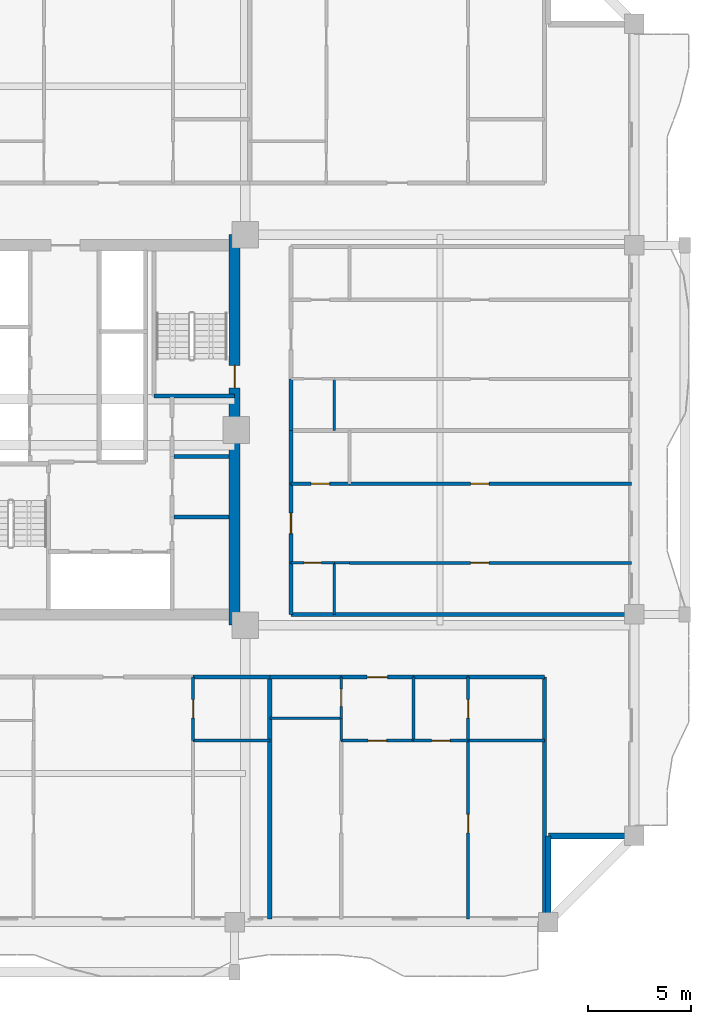
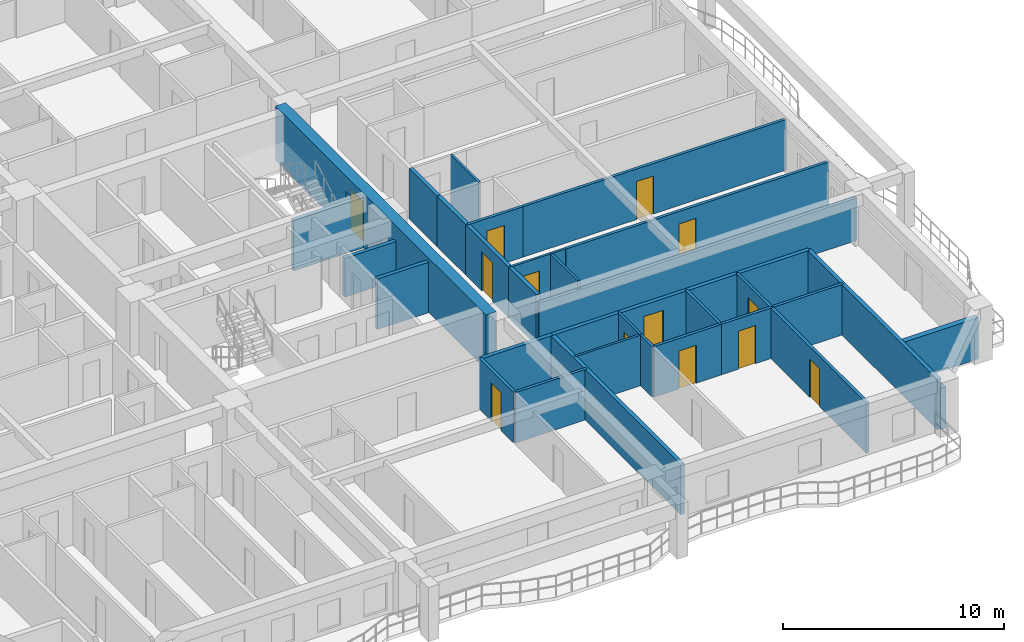
# One storey, part 5 of 13: 36 walls, 13 doors, 13 openings.
"""IFC4 building model written with IfcOpenShell, lengths in metres."""

from ifc_helpers import new_model, si_unit, direction, frame, frame_2d, origin, place, context, subcontext, project, spatial, rectangle, extrude, source, transform, mapped, material, layer, layer_set, type_object, element, fill, save


model = new_model("IFC4")

# Units and contexts
model_context = context("Model", 3, precision=1e-05, world=origin(), true_north=direction((0.0, 1.0)))
body_context = subcontext(model_context, "Body", "Model", "MODEL_VIEW")
ifc_project = project(units=[si_unit("LENGTHUNIT", "METRE"), si_unit("AREAUNIT", "SQUARE_METRE"), si_unit("VOLUMEUNIT", "CUBIC_METRE"), si_unit("PLANEANGLEUNIT", "RADIAN"), si_unit("MASSUNIT", "GRAM", prefix="KILO")], contexts=[model_context])

# Site, building, storey
site_placement = place(None, origin())
site = spatial("IfcSite", under=ifc_project, at=site_placement, CompositionType="ELEMENT")
building_placement = place(site_placement, origin())
building = spatial("IfcBuilding", under=site, at=building_placement, Name="Saelheon Loggia Tower", CompositionType="ELEMENT")
storey_placement = place(building_placement, frame((0.0, 0.0, 83.85009765625)))
storey = spatial("IfcBuildingStorey", under=building, at=storey_placement, Name="L26", CompositionType="ELEMENT", Elevation=83.85009765625)

# Wall, opening, door
ifc_material_1 = material(Name="Concrete C50/60", Category="concrete")
ifc_layer_1 = layer(ifc_material_1, 0.550048828125)
ifc_layer_set_1 = layer_set([ifc_layer_1], Name="Concrete C50/60")
wall_type_1 = type_object("IfcWallType", Name="Wall_CoreShear_550", PredefinedType="SHEAR", material=ifc_layer_set_1)
wall_1_placement = place(storey_placement, frame((44.5, 17.47998046875, 0.0), z_axis=(0.0, 0.0, 1.0), x_axis=(0.0, 1.0, 0.0)))
wall_1 = element("IfcWall", 1, at=wall_1_placement, inside=storey, type_object=wall_type_1, Name="L26 Core Shear Wall East", PredefinedType="SHEAR", context=body_context, shape_type="SweptSolid", body=[
    extrude(rectangle(XDim=19.0400390625, YDim=0.550048828125, at=frame_2d((9.52001953125, 0.0))), origin(), (0.0, 0.0, 1.0), 3.0),
])
opening_1_placement = place(wall_1_placement, frame((12.670166015625, 0.0, 0.0), z_axis=(0.0, 0.0, 1.0), x_axis=(-1.0, 0.0, 0.0)))
opening_1 = element("IfcOpeningElement", 2, at=opening_1_placement, cuts=wall_1, Name="Opening D-FD2", PredefinedType="OPENING", context=body_context, shape_type="SweptSolid", body=[
    extrude(rectangle(XDim=1.10009765625, YDim=2.14990234375, at=frame_2d((0.550048828125, 1.074951171875))), frame((0.0, 0.287109375, 0.0), z_axis=(0.0, -1.0, 0.0), x_axis=(1.0, 0.0, 0.0)), (0.0, 0.0, 1.0), 0.573974609375),
])
ifc_material_2 = material(Name="Galvanised Steel Fire Door", Category="steel")
door_type_1 = type_object("IfcDoorType", Name="Door_Fire_FD60_1100", OperationType="NOTDEFINED", PredefinedType="DOOR", material=ifc_material_2)
shared_shape_1 = source(origin(), body_context, "Body", "SweptSolid", [
    extrude(rectangle(XDim=1.10009765625, YDim=2.14990234375, at=frame_2d((0.550048828125, 1.074951171875))), frame((0.0, 0.02490234375, 0.0), z_axis=(0.0, -1.0, 0.0), x_axis=(1.0, 0.0, 0.0)), (0.0, 0.0, 1.0), 0.050048828125),
])
door_1_placement = place(opening_1_placement, origin())
door_1 = element("IfcDoor", 3, at=door_1_placement, inside=storey, type_object=door_type_1, Name="L26 Stair ST2 Corridor Door", OperationType="SINGLE_SWING_RIGHT", OverallHeight=2.14990234375, OverallWidth=1.10009765625, PredefinedType="DOOR", context=body_context, shape_type="MappedRepresentation", body=[
    mapped(shared_shape_1, transform((0.0, 0.0, 0.0), scale=1.0)),
])
fill(opening_1, door_1)

# Walls
ifc_material_3 = material(Name="Architectural Precast Concrete C40/50", Category="concrete")
ifc_layer_2 = layer(ifc_material_3, 0.280029296875)
ifc_layer_set_2 = layer_set([ifc_layer_2], Name="Architectural Precast Concrete C40/50")
wall_type_2 = type_object("IfcWallType", Name="Wall_Ext_Loggia_280", PredefinedType="SOLIDWALL", material=ifc_layer_set_2)
for number, where, z_axis, x_axis, name in (
    (4, (59.800048828125, 3.080078125, 0.0), (0.0, 0.0, 1.0), (0.0, 1.0, 0.0), "L26 Corner Notch Precast Wall SE1"),
    (5, (59.800048828125, 7.199951171875, 0.0), (0.0, 0.0, 1.0), (1.0, 0.0, 0.0), "L26 Corner Notch Precast Wall SE2"),
):
    element("IfcWall", number, at=place(storey_placement, frame(where, z_axis=z_axis, x_axis=x_axis)), inside=storey, type_object=wall_type_2, Name=name, PredefinedType="SOLIDWALL", context=body_context, shape_type="SweptSolid", body=[
        extrude(rectangle(XDim=4.119873046875, YDim=0.280029296875, at=frame_2d((2.06005859375, 0.0))), origin(), (0.0, 0.0, 1.0), 2.27978515625),
    ])
ifc_material_4 = material(Name="Lightweight Autoclaved Aerated Concrete Block and Acoustic Gypsum", Category="concrete")
ifc_layer_3 = layer(ifc_material_4, 0.14990234375)
ifc_layer_set_3 = layer_set([ifc_layer_3], Name="Lightweight Autoclaved Aerated Concrete Block and Acoustic Gypsum")
wall_type_3 = type_object("IfcWallType", Name="Wall_Part_150", PredefinedType="PARTITIONING", material=ifc_layer_set_3)
wall_2_placement = place(storey_placement, frame((42.47998046875, 11.85009765625, 0.0), z_axis=(0.0, 0.0, 1.0), x_axis=(1.0, 0.0, 0.0)))
element("IfcWall", 6, at=wall_2_placement, inside=storey, type_object=wall_type_3, Name="L26 S Partition V29", PredefinedType="PARTITIONING", context=body_context, shape_type="SweptSolid", body=[
    extrude(rectangle(XDim=3.735595703125, YDim=0.14990234375, at=frame_2d((1.86767578125, 0.0))), origin(), (0.0, 0.0, 1.0), 2.789794921875),
])

# Wall, opening, door
wall_3_placement = place(storey_placement, frame((42.47998046875, 14.949951171875, 0.0), z_axis=(0.0, 0.0, 1.0), x_axis=(0.0, -1.0, 0.0)))
wall_3 = element("IfcWall", 7, at=wall_3_placement, inside=storey, type_object=wall_type_3, Name="L26 S Partition U33", PredefinedType="PARTITIONING", context=body_context, shape_type="SweptSolid", body=[
    extrude(rectangle(XDim=3.099853515625, YDim=0.14990234375, at=frame_2d((1.5498046875, 0.0))), origin(), (0.0, 0.0, 1.0), 2.789794921875),
])
opening_2_placement = place(wall_3_placement, frame((1.10009765625, 0.0, 0.0)))
opening_2 = element("IfcOpeningElement", 8, at=opening_2_placement, cuts=wall_3, Name="Opening D-IN2", PredefinedType="OPENING", context=body_context, shape_type="SweptSolid", body=[
    extrude(rectangle(XDim=0.89990234375, YDim=2.10009765625, at=frame_2d((0.449951171875, 1.050048828125))), frame((0.0, 0.0869140625, 0.0), z_axis=(0.0, -1.0, 0.0), x_axis=(1.0, 0.0, 0.0)), (0.0, 0.0, 1.0), 0.173828125),
])
ifc_material_5 = material(Name="Engineered Oak Flush Door", Category="timber")
door_type_2 = type_object("IfcDoorType", Name="Door_Int_900", OperationType="NOTDEFINED", PredefinedType="DOOR", material=ifc_material_5)
shared_shape_2 = source(origin(), body_context, "Body", "SweptSolid", [
    extrude(rectangle(XDim=0.89990234375, YDim=2.10009765625, at=frame_2d((0.449951171875, 1.050048828125))), frame((0.0, 0.02490234375, 0.0), z_axis=(0.0, -1.0, 0.0), x_axis=(1.0, 0.0, 0.0)), (0.0, 0.0, 1.0), 0.050048828125),
])
door_2_placement = place(opening_2_placement, origin())
door_2 = element("IfcDoor", 9, at=door_2_placement, inside=storey, type_object=door_type_2, Name="Unit U03 Private Study Door", OperationType="SINGLE_SWING_LEFT", OverallHeight=2.10009765625, OverallWidth=0.89990234375, PredefinedType="DOOR", context=body_context, shape_type="MappedRepresentation", body=[
    mapped(shared_shape_2, transform((0.0, 0.0, 0.0), scale=1.0)),
])
fill(opening_2, door_2)

# Wall
wall_4_placement = place(storey_placement, frame((53.234375, 14.949951171875, 0.0), z_axis=(0.0, 0.0, 1.0), x_axis=(0.0, -1.0, 0.0)))
element("IfcWall", 10, at=wall_4_placement, inside=storey, type_object=wall_type_3, Name="L26 S Partition U39", PredefinedType="PARTITIONING", context=body_context, shape_type="SweptSolid", body=[
    extrude(rectangle(XDim=3.099853515625, YDim=0.14990234375, at=frame_2d((1.5498046875, 0.0))), origin(), (0.0, 0.0, 1.0), 2.789794921875),
])

# Wall, opening, door
wall_5_placement = place(storey_placement, frame((49.70068359375, 11.85009765625, 0.0), z_axis=(0.0, 0.0, 1.0), x_axis=(1.0, 0.0, 0.0)))
wall_5 = element("IfcWall", 11, at=wall_5_placement, inside=storey, type_object=wall_type_3, Name="L26 S Partition V40", PredefinedType="PARTITIONING", context=body_context, shape_type="SweptSolid", body=[
    extrude(rectangle(XDim=3.53369140625, YDim=0.14990234375, at=frame_2d((1.766845703125, 0.0))), origin(), (0.0, 0.0, 1.0), 2.789794921875),
])
opening_3_placement = place(wall_5_placement, frame((1.31689453125, 0.0, 0.0)))
opening_3 = element("IfcOpeningElement", 12, at=opening_3_placement, cuts=wall_5, Name="Opening D-IN2", PredefinedType="OPENING", context=body_context, shape_type="SweptSolid", body=[
    extrude(rectangle(XDim=0.89990234375, YDim=2.10009765625, at=frame_2d((0.449951171875, 1.050048828125))), frame((0.0, 0.0869140625, 0.0), z_axis=(0.0, -1.0, 0.0), x_axis=(1.0, 0.0, 0.0)), (0.0, 0.0, 1.0), 0.173828125),
])
door_3_placement = place(opening_3_placement, origin())
door_3 = element("IfcDoor", 13, at=door_3_placement, inside=storey, type_object=door_type_2, Name="Unit U04 Living Door", OperationType="SINGLE_SWING_RIGHT", OverallHeight=2.10009765625, OverallWidth=0.89990234375, PredefinedType="DOOR", context=body_context, shape_type="MappedRepresentation", body=[
    mapped(shared_shape_2, transform((0.0, 0.0, 0.0), scale=1.0)),
])
fill(opening_3, door_3)

wall_6_placement = place(storey_placement, frame((53.234375, 11.85009765625, 0.0), z_axis=(0.0, 0.0, 1.0), x_axis=(1.0, 0.0, 0.0)))
wall_6 = element("IfcWall", 14, at=wall_6_placement, inside=storey, type_object=wall_type_3, Name="L26 S Partition V41", PredefinedType="PARTITIONING", context=body_context, shape_type="SweptSolid", body=[
    extrude(rectangle(XDim=2.650146484375, YDim=0.14990234375, at=frame_2d((1.3251953125, 0.0))), origin(), (0.0, 0.0, 1.0), 2.789794921875),
])
opening_4_placement = place(wall_6_placement, frame((0.875, 0.0, 0.0)))
opening_4 = element("IfcOpeningElement", 15, at=opening_4_placement, cuts=wall_6, Name="Opening D-IN2", PredefinedType="OPENING", context=body_context, shape_type="SweptSolid", body=[
    extrude(rectangle(XDim=0.89990234375, YDim=2.10009765625, at=frame_2d((0.449951171875, 1.050048828125))), frame((0.0, 0.0869140625, 0.0), z_axis=(0.0, -1.0, 0.0), x_axis=(1.0, 0.0, 0.0)), (0.0, 0.0, 1.0), 0.173828125),
])
door_4_placement = place(opening_4_placement, origin())
door_4 = element("IfcDoor", 16, at=door_4_placement, inside=storey, type_object=door_type_2, Name="Unit U04 Private Study Door", OperationType="SINGLE_SWING_LEFT", OverallHeight=2.10009765625, OverallWidth=0.89990234375, PredefinedType="DOOR", context=body_context, shape_type="MappedRepresentation", body=[
    mapped(shared_shape_2, transform((0.0, 0.0, 0.0), scale=1.0)),
])
fill(opening_4, door_4)

# Wall
wall_7_placement = place(storey_placement, frame((55.884521484375, 11.85009765625, 0.0), z_axis=(0.0, 0.0, 1.0), x_axis=(1.0, 0.0, 0.0)))
element("IfcWall", 17, at=wall_7_placement, inside=storey, type_object=wall_type_3, Name="L26 S Partition V44", PredefinedType="PARTITIONING", context=body_context, shape_type="SweptSolid", body=[
    extrude(rectangle(XDim=3.735595703125, YDim=0.14990234375, at=frame_2d((1.86767578125, 0.0))), origin(), (0.0, 0.0, 1.0), 2.789794921875),
])

# Wall, opening, door
wall_8_placement = place(storey_placement, frame((55.884521484375, 14.949951171875, 0.0), z_axis=(0.0, 0.0, 1.0), x_axis=(0.0, -1.0, 0.0)))
wall_8 = element("IfcWall", 18, at=wall_8_placement, inside=storey, type_object=wall_type_3, Name="L26 S Partition U48", PredefinedType="PARTITIONING", context=body_context, shape_type="SweptSolid", body=[
    extrude(rectangle(XDim=3.099853515625, YDim=0.14990234375, at=frame_2d((1.5498046875, 0.0))), origin(), (0.0, 0.0, 1.0), 2.789794921875),
])
opening_5_placement = place(wall_8_placement, frame((1.10009765625, 0.0, 0.0)))
opening_5 = element("IfcOpeningElement", 19, at=opening_5_placement, cuts=wall_8, Name="Opening D-IN2", PredefinedType="OPENING", context=body_context, shape_type="SweptSolid", body=[
    extrude(rectangle(XDim=0.89990234375, YDim=2.10009765625, at=frame_2d((0.449951171875, 1.050048828125))), frame((0.0, 0.0869140625, 0.0), z_axis=(0.0, -1.0, 0.0), x_axis=(1.0, 0.0, 0.0)), (0.0, 0.0, 1.0), 0.173828125),
])
door_5_placement = place(opening_5_placement, origin())
door_5 = element("IfcDoor", 20, at=door_5_placement, inside=storey, type_object=door_type_2, Name="Unit U04 Kitchen Door", OperationType="SINGLE_SWING_RIGHT", OverallHeight=2.10009765625, OverallWidth=0.89990234375, PredefinedType="DOOR", context=body_context, shape_type="MappedRepresentation", body=[
    mapped(shared_shape_2, transform((0.0, 0.0, 0.0), scale=1.0)),
])
fill(opening_5, door_5)

wall_9_placement = place(storey_placement, frame((55.884521484375, 11.85009765625, 0.0), z_axis=(0.0, 0.0, 1.0), x_axis=(0.0, -1.0, 0.0)))
wall_9 = element("IfcWall", 21, at=wall_9_placement, inside=storey, type_object=wall_type_3, Name="L26 S Partition U49", PredefinedType="PARTITIONING", context=body_context, shape_type="SweptSolid", body=[
    extrude(rectangle(XDim=8.7001953125, YDim=0.14990234375, at=frame_2d((4.35009765625, 0.0))), origin(), (0.0, 0.0, 1.0), 2.789794921875),
])
opening_6_placement = place(wall_9_placement, frame((3.594970703125, 0.0, 0.0)))
opening_6 = element("IfcOpeningElement", 22, at=opening_6_placement, cuts=wall_9, Name="Opening D-IN2", PredefinedType="OPENING", context=body_context, shape_type="SweptSolid", body=[
    extrude(rectangle(XDim=0.89990234375, YDim=2.10009765625, at=frame_2d((0.449951171875, 1.050048828125))), frame((0.0, 0.0869140625, 0.0), z_axis=(0.0, -1.0, 0.0), x_axis=(1.0, 0.0, 0.0)), (0.0, 0.0, 1.0), 0.173828125),
])
door_6_placement = place(opening_6_placement, origin())
door_6 = element("IfcDoor", 23, at=door_6_placement, inside=storey, type_object=door_type_2, Name="Unit U04 Bedroom 1 Door", OperationType="SINGLE_SWING_LEFT", OverallHeight=2.10009765625, OverallWidth=0.89990234375, PredefinedType="DOOR", context=body_context, shape_type="MappedRepresentation", body=[
    mapped(shared_shape_2, transform((0.0, 0.0, 0.0), scale=1.0)),
])
fill(opening_6, door_6)

wall_10_placement = place(storey_placement, frame((50.110107421875, 20.512939453125, 0.0), z_axis=(0.0, 0.0, 1.0), x_axis=(1.0, 0.0, 0.0)))
wall_10 = element("IfcWall", 24, at=wall_10_placement, inside=storey, type_object=wall_type_3, Name="L26 E Partition U10", PredefinedType="PARTITIONING", context=body_context, shape_type="SweptSolid", body=[
    extrude(rectangle(XDim=13.739990234375, YDim=0.14990234375, at=frame_2d((6.8701171875, 0.0))), origin(), (0.0, 0.0, 1.0), 2.789794921875),
])
opening_7_placement = place(wall_10_placement, frame((5.905029296875, 0.0, 0.0)))
opening_7 = element("IfcOpeningElement", 25, at=opening_7_placement, cuts=wall_10, Name="Opening D-IN2", PredefinedType="OPENING", context=body_context, shape_type="SweptSolid", body=[
    extrude(rectangle(XDim=0.89990234375, YDim=2.10009765625, at=frame_2d((0.449951171875, 1.050048828125))), frame((0.0, 0.0869140625, 0.0), z_axis=(0.0, -1.0, 0.0), x_axis=(1.0, 0.0, 0.0)), (0.0, 0.0, 1.0), 0.173828125),
])
door_7_placement = place(opening_7_placement, origin())
door_7 = element("IfcDoor", 26, at=door_7_placement, inside=storey, type_object=door_type_2, Name="Unit U10 Kitchen Door", OperationType="SINGLE_SWING_RIGHT", OverallHeight=2.10009765625, OverallWidth=0.89990234375, PredefinedType="DOOR", context=body_context, shape_type="MappedRepresentation", body=[
    mapped(shared_shape_2, transform((0.0, 0.0, 0.0), scale=1.0)),
])
fill(opening_7, door_7)

wall_11_placement = place(storey_placement, frame((47.25, 24.375, 0.0), z_axis=(0.0, 0.0, 1.0), x_axis=(1.0, 0.0, 0.0)))
wall_11 = element("IfcWall", 27, at=wall_11_placement, inside=storey, type_object=wall_type_3, Name="L26 E Partition U11", PredefinedType="PARTITIONING", context=body_context, shape_type="SweptSolid", body=[
    extrude(rectangle(XDim=2.860107421875, YDim=0.14990234375, at=frame_2d((1.43017578125, 0.0))), origin(), (0.0, 0.0, 1.0), 2.789794921875),
])
opening_8_placement = place(wall_11_placement, frame((0.97998046875, 0.0, 0.0)))
opening_8 = element("IfcOpeningElement", 28, at=opening_8_placement, cuts=wall_11, Name="Opening D-IN2", PredefinedType="OPENING", context=body_context, shape_type="SweptSolid", body=[
    extrude(rectangle(XDim=0.89990234375, YDim=2.10009765625, at=frame_2d((0.449951171875, 1.050048828125))), frame((0.0, 0.0869140625, 0.0), z_axis=(0.0, -1.0, 0.0), x_axis=(1.0, 0.0, 0.0)), (0.0, 0.0, 1.0), 0.173828125),
])
door_8_placement = place(opening_8_placement, origin())
door_8 = element("IfcDoor", 29, at=door_8_placement, inside=storey, type_object=door_type_2, Name="Unit U10 Dressing Closet Door", OperationType="SINGLE_SWING_LEFT", OverallHeight=2.10009765625, OverallWidth=0.89990234375, PredefinedType="DOOR", context=body_context, shape_type="MappedRepresentation", body=[
    mapped(shared_shape_2, transform((0.0, 0.0, 0.0), scale=1.0)),
])
fill(opening_8, door_8)

wall_12_placement = place(storey_placement, frame((50.110107421875, 24.375, 0.0), z_axis=(0.0, 0.0, 1.0), x_axis=(1.0, 0.0, 0.0)))
wall_12 = element("IfcWall", 30, at=wall_12_placement, inside=storey, type_object=wall_type_3, Name="L26 E Partition U12", PredefinedType="PARTITIONING", context=body_context, shape_type="SweptSolid", body=[
    extrude(rectangle(XDim=13.739990234375, YDim=0.14990234375, at=frame_2d((6.8701171875, 0.0))), origin(), (0.0, 0.0, 1.0), 2.789794921875),
])
opening_9_placement = place(wall_12_placement, frame((5.905029296875, 0.0, 0.0)))
opening_9 = element("IfcOpeningElement", 31, at=opening_9_placement, cuts=wall_12, Name="Opening D-IN2", PredefinedType="OPENING", context=body_context, shape_type="SweptSolid", body=[
    extrude(rectangle(XDim=0.89990234375, YDim=2.10009765625, at=frame_2d((0.449951171875, 1.050048828125))), frame((0.0, 0.0869140625, 0.0), z_axis=(0.0, -1.0, 0.0), x_axis=(1.0, 0.0, 0.0)), (0.0, 0.0, 1.0), 0.173828125),
])
door_9_placement = place(opening_9_placement, origin())
door_9 = element("IfcDoor", 32, at=door_9_placement, inside=storey, type_object=door_type_2, Name="Unit U10 Bedroom 1 Door", OperationType="SINGLE_SWING_RIGHT", OverallHeight=2.10009765625, OverallWidth=0.89990234375, PredefinedType="DOOR", context=body_context, shape_type="MappedRepresentation", body=[
    mapped(shared_shape_2, transform((0.0, 0.0, 0.0), scale=1.0)),
])
fill(opening_9, door_9)

# Walls
ifc_material_6 = material(Name="Double Acoustic Stud and Fireboard Partition", Category="gypsum")
ifc_layer_4 = layer(ifc_material_6, 0.199951171875)
ifc_layer_set_4 = layer_set([ifc_layer_4], Name="Double Acoustic Stud and Fireboard Partition")
wall_type_4 = type_object("IfcWallType", Name="Wall_Party_200", PredefinedType="PARTITIONING", material=ifc_layer_set_4)
wall_13_placement = place(storey_placement, frame((59.6201171875, 14.949951171875, 0.0), z_axis=(0.0, 0.0, 1.0), x_axis=(0.0, -1.0, 0.0)))
element("IfcWall", 33, at=wall_13_placement, inside=storey, type_object=wall_type_4, Name="L26 S Partition U02", PredefinedType="PARTITIONING", context=body_context, shape_type="SweptSolid", body=[
    extrude(rectangle(XDim=11.800048828125, YDim=0.199951171875, at=frame_2d((5.89990234375, 0.0))), origin(), (0.0, 0.0, 1.0), 2.789794921875),
])
wall_14_placement = place(storey_placement, frame((42.47998046875, 14.949951171875, 0.0), z_axis=(0.0, 0.0, 1.0), x_axis=(1.0, 0.0, 0.0)))
element("IfcWall", 34, at=wall_14_placement, inside=storey, type_object=wall_type_4, Name="L26 S Partition V27", PredefinedType="PARTITIONING", context=body_context, shape_type="SweptSolid", body=[
    extrude(rectangle(XDim=3.735595703125, YDim=0.199951171875, at=frame_2d((1.86767578125, 0.0))), origin(), (0.0, 0.0, 1.0), 2.789794921875),
])
wall_15_placement = place(storey_placement, frame((46.215576171875, 14.949951171875, 0.0), z_axis=(0.0, 0.0, 1.0), x_axis=(0.0, -1.0, 0.0)))
element("IfcWall", 35, at=wall_15_placement, inside=storey, type_object=wall_type_4, Name="L26 S Partition U35", PredefinedType="PARTITIONING", context=body_context, shape_type="SweptSolid", body=[
    extrude(rectangle(XDim=11.800048828125, YDim=0.199951171875, at=frame_2d((5.89990234375, 0.0))), origin(), (0.0, 0.0, 1.0), 2.789794921875),
])
wall_16_placement = place(storey_placement, frame((46.215576171875, 14.949951171875, 0.0), z_axis=(0.0, 0.0, 1.0), x_axis=(1.0, 0.0, 0.0)))
element("IfcWall", 36, at=wall_16_placement, inside=storey, type_object=wall_type_4, Name="L26 S Partition V36", PredefinedType="PARTITIONING", context=body_context, shape_type="SweptSolid", body=[
    extrude(rectangle(XDim=3.485107421875, YDim=0.199951171875, at=frame_2d((1.74267578125, 0.0))), origin(), (0.0, 0.0, 1.0), 2.789794921875),
])

# Wall, opening, door
wall_17_placement = place(storey_placement, frame((49.70068359375, 14.949951171875, 0.0), z_axis=(0.0, 0.0, 1.0), x_axis=(1.0, 0.0, 0.0)))
wall_17 = element("IfcWall", 37, at=wall_17_placement, inside=storey, type_object=wall_type_4, Name="L26 S Partition V37", PredefinedType="PARTITIONING", context=body_context, shape_type="SweptSolid", body=[
    extrude(rectangle(XDim=3.53369140625, YDim=0.199951171875, at=frame_2d((1.766845703125, 0.0))), origin(), (0.0, 0.0, 1.0), 2.789794921875),
])
opening_10_placement = place(wall_17_placement, frame((1.266845703125, 0.0, 0.0)))
opening_10 = element("IfcOpeningElement", 38, at=opening_10_placement, cuts=wall_17, Name="Opening D-FD1", PredefinedType="OPENING", context=body_context, shape_type="SweptSolid", body=[
    extrude(rectangle(XDim=1.0, YDim=2.14990234375, at=frame_2d((0.5, 1.074951171875))), frame((0.0, 0.112060546875, 0.0), z_axis=(0.0, -1.0, 0.0), x_axis=(1.0, 0.0, 0.0)), (0.0, 0.0, 1.0), 0.223876953125),
])
ifc_material_7 = material(Name="Fire-Rated Engineered Timber Entrance Door", Category="wood")
door_type_3 = type_object("IfcDoorType", Name="Door_Flat_FD30S", OperationType="NOTDEFINED", PredefinedType="DOOR", material=ifc_material_7)
shared_shape_3 = source(origin(), body_context, "Body", "SweptSolid", [
    extrude(rectangle(XDim=1.0, YDim=2.14990234375, at=frame_2d((0.5, 1.074951171875))), frame((0.0, 0.02490234375, 0.0), z_axis=(0.0, -1.0, 0.0), x_axis=(1.0, 0.0, 0.0)), (0.0, 0.0, 1.0), 0.050048828125),
])
door_10_placement = place(opening_10_placement, origin())
door_10 = element("IfcDoor", 39, at=door_10_placement, inside=storey, type_object=door_type_3, Name="Unit U04 Entrance Door", OperationType="SINGLE_SWING_LEFT", OverallHeight=2.14990234375, OverallWidth=1.0, PredefinedType="DOOR", context=body_context, shape_type="MappedRepresentation", body=[
    mapped(shared_shape_3, transform((0.0, 0.0, 0.0), scale=1.0)),
])
fill(opening_10, door_10)

# Walls
wall_18_placement = place(storey_placement, frame((53.234375, 14.949951171875, 0.0), z_axis=(0.0, 0.0, 1.0), x_axis=(1.0, 0.0, 0.0)))
element("IfcWall", 40, at=wall_18_placement, inside=storey, type_object=wall_type_4, Name="L26 S Partition V38", PredefinedType="PARTITIONING", context=body_context, shape_type="SweptSolid", body=[
    extrude(rectangle(XDim=2.650146484375, YDim=0.199951171875, at=frame_2d((1.3251953125, 0.0))), origin(), (0.0, 0.0, 1.0), 2.789794921875),
])
wall_19_placement = place(storey_placement, frame((55.884521484375, 14.949951171875, 0.0), z_axis=(0.0, 0.0, 1.0), x_axis=(1.0, 0.0, 0.0)))
element("IfcWall", 41, at=wall_19_placement, inside=storey, type_object=wall_type_4, Name="L26 S Partition V42", PredefinedType="PARTITIONING", context=body_context, shape_type="SweptSolid", body=[
    extrude(rectangle(XDim=3.735595703125, YDim=0.199951171875, at=frame_2d((1.86767578125, 0.0))), origin(), (0.0, 0.0, 1.0), 2.789794921875),
])
wall_20_placement = place(storey_placement, frame((47.25, 18.0, 0.0), z_axis=(0.0, 0.0, 1.0), x_axis=(1.0, 0.0, 0.0)))
element("IfcWall", 42, at=wall_20_placement, inside=storey, type_object=wall_type_4, Name="L26 E Partition U01", PredefinedType="PARTITIONING", context=body_context, shape_type="SweptSolid", body=[
    extrude(rectangle(XDim=16.60009765625, YDim=0.199951171875, at=frame_2d((8.300048828125, 0.0))), origin(), (0.0, 0.0, 1.0), 2.33984375),
])
wall_21_placement = place(storey_placement, frame((47.25, 18.0, 0.0), z_axis=(0.0, 0.0, 1.0), x_axis=(0.0, 1.0, 0.0)))
element("IfcWall", 43, at=wall_21_placement, inside=storey, type_object=wall_type_4, Name="L26 E Partition V03", PredefinedType="PARTITIONING", context=body_context, shape_type="SweptSolid", body=[
    extrude(rectangle(XDim=2.512939453125, YDim=0.199951171875, at=frame_2d((1.25634765625, 0.0))), origin(), (0.0, 0.0, 1.0), 2.789794921875),
])

# Wall, opening, door
wall_22_placement = place(storey_placement, frame((47.25, 20.512939453125, 0.0), z_axis=(0.0, 0.0, 1.0), x_axis=(0.0, 1.0, 0.0)))
wall_22 = element("IfcWall", 44, at=wall_22_placement, inside=storey, type_object=wall_type_4, Name="L26 E Partition V04", PredefinedType="PARTITIONING", context=body_context, shape_type="SweptSolid", body=[
    extrude(rectangle(XDim=3.862060546875, YDim=0.199951171875, at=frame_2d((1.93115234375, 0.0))), origin(), (0.0, 0.0, 1.0), 2.789794921875),
])
opening_11_placement = place(wall_22_placement, frame((1.430908203125, 0.0, 0.0)))
opening_11 = element("IfcOpeningElement", 45, at=opening_11_placement, cuts=wall_22, Name="Opening D-FD1", PredefinedType="OPENING", context=body_context, shape_type="SweptSolid", body=[
    extrude(rectangle(XDim=1.0, YDim=2.14990234375, at=frame_2d((0.5, 1.074951171875))), frame((0.0, 0.112060546875, 0.0), z_axis=(0.0, -1.0, 0.0), x_axis=(1.0, 0.0, 0.0)), (0.0, 0.0, 1.0), 0.223876953125),
])
door_11_placement = place(opening_11_placement, origin())
door_11 = element("IfcDoor", 46, at=door_11_placement, inside=storey, type_object=door_type_3, Name="Unit U10 Entrance Door", OperationType="SINGLE_SWING_RIGHT", OverallHeight=2.14990234375, OverallWidth=1.0, PredefinedType="DOOR", context=body_context, shape_type="MappedRepresentation", body=[
    mapped(shared_shape_3, transform((0.0, 0.0, 0.0), scale=1.0)),
])
fill(opening_11, door_11)

# Walls
wall_23_placement = place(storey_placement, frame((47.25, 24.375, 0.0), z_axis=(0.0, 0.0, 1.0), x_axis=(0.0, 1.0, 0.0)))
element("IfcWall", 47, at=wall_23_placement, inside=storey, type_object=wall_type_4, Name="L26 E Partition V05", PredefinedType="PARTITIONING", context=body_context, shape_type="SweptSolid", body=[
    extrude(rectangle(XDim=2.60009765625, YDim=0.199951171875, at=frame_2d((1.300048828125, 0.0))), origin(), (0.0, 0.0, 1.0), 2.789794921875),
])
wall_24_placement = place(storey_placement, frame((47.25, 26.97509765625, 0.0), z_axis=(0.0, 0.0, 1.0), x_axis=(0.0, 1.0, 0.0)))
element("IfcWall", 48, at=wall_24_placement, inside=storey, type_object=wall_type_4, Name="L26 E Partition V14", PredefinedType="PARTITIONING", context=body_context, shape_type="SweptSolid", body=[
    extrude(rectangle(XDim=2.512939453125, YDim=0.199951171875, at=frame_2d((1.25634765625, 0.0))), origin(), (0.0, 0.0, 1.0), 2.789794921875),
])
ifc_material_8 = material(Name="Concrete C40/50", Category="concrete")
ifc_layer_5 = layer(ifc_material_8, 0.199951171875)
ifc_layer_set_5 = layer_set([ifc_layer_5], Name="Concrete C40/50")
wall_type_5 = type_object("IfcWallType", Name="Wall_Shaft_200", PredefinedType="PARTITIONING", material=ifc_layer_set_5)
wall_25_placement = place(storey_placement, frame((41.550048828125, 22.75, 0.0), z_axis=(0.0, 0.0, 1.0), x_axis=(1.0, 0.0, 0.0)))
element("IfcWall", 49, at=wall_25_placement, inside=storey, type_object=wall_type_5, Name="CW-BOH-L26-H1", PredefinedType="PARTITIONING", context=body_context, shape_type="SweptSolid", body=[
    extrude(rectangle(XDim=2.669921875, YDim=0.199951171875, at=frame_2d((1.3349609375, 0.0))), origin(), (0.0, 0.0, 1.0), 2.789794921875),
])
wall_26_placement = place(storey_placement, frame((41.550048828125, 25.699951171875, 0.0), z_axis=(0.0, 0.0, 1.0), x_axis=(1.0, 0.0, 0.0)))
element("IfcWall", 50, at=wall_26_placement, inside=storey, type_object=wall_type_5, Name="CW-BOH-L26-H2", PredefinedType="PARTITIONING", context=body_context, shape_type="SweptSolid", body=[
    extrude(rectangle(XDim=2.669921875, YDim=0.199951171875, at=frame_2d((1.3349609375, 0.0))), origin(), (0.0, 0.0, 1.0), 2.139892578125),
])
ifc_material_9 = material(Name="Concrete C45/55", Category="concrete")
ifc_layer_6 = layer(ifc_material_9, 0.199951171875)
ifc_layer_set_6 = layer_set([ifc_layer_6], Name="Concrete C45/55")
wall_type_6 = type_object("IfcWallType", Name="Wall_StairShaft_RC200", PredefinedType="SOLIDWALL", material=ifc_layer_set_6)
wall_27_placement = place(storey_placement, frame((40.570068359375, 28.64990234375, 0.0), z_axis=(0.0, 0.0, 1.0), x_axis=(1.0, 0.0, 0.0)))
element("IfcWall", 51, at=wall_27_placement, inside=storey, type_object=wall_type_6, Name="L26 Stair ST2 South Wall", PredefinedType="SOLIDWALL", context=body_context, shape_type="SweptSolid", body=[
    extrude(rectangle(XDim=3.929931640625, YDim=0.199951171875, at=frame_2d((1.96484375, 0.0))), origin(), (0.0, 0.0, 1.0), 2.789794921875),
])
ifc_material_10 = material(Name="Moisture-Resistant Cement Board Partition", Category="gypsum")
ifc_layer_7 = layer(ifc_material_10, 0.1201171875)
ifc_layer_set_7 = layer_set([ifc_layer_7], Name="Moisture-Resistant Cement Board Partition")
wall_type_7 = type_object("IfcWallType", Name="Wall_WetPart_120", PredefinedType="PARTITIONING", material=ifc_layer_set_7)
wall_28_placement = place(storey_placement, frame((46.215576171875, 12.929931640625, 0.0), z_axis=(0.0, 0.0, 1.0), x_axis=(1.0, 0.0, 0.0)))
element("IfcWall", 52, at=wall_28_placement, inside=storey, type_object=wall_type_7, Name="L26 S Partition V43", PredefinedType="PARTITIONING", context=body_context, shape_type="SweptSolid", body=[
    extrude(rectangle(XDim=3.485107421875, YDim=0.1201171875, at=frame_2d((1.74267578125, 0.0))), origin(), (0.0, 0.0, 1.0), 2.789794921875),
])

# Wall, opening, door
wall_29_placement = place(storey_placement, frame((49.70068359375, 14.949951171875, 0.0), z_axis=(0.0, 0.0, 1.0), x_axis=(0.0, -1.0, 0.0)))
wall_29 = element("IfcWall", 53, at=wall_29_placement, inside=storey, type_object=wall_type_7, Name="L26 S Partition U45", PredefinedType="PARTITIONING", context=body_context, shape_type="SweptSolid", body=[
    extrude(rectangle(XDim=2.02001953125, YDim=0.1201171875, at=frame_2d((1.010009765625, 0.0))), origin(), (0.0, 0.0, 1.0), 2.789794921875),
])
opening_12_placement = place(wall_29_placement, frame((0.5849609375, 0.0, 0.0)))
opening_12 = element("IfcOpeningElement", 54, at=opening_12_placement, cuts=wall_29, Name="Opening D-BT1", PredefinedType="OPENING", context=body_context, shape_type="SweptSolid", body=[
    extrude(rectangle(XDim=0.85009765625, YDim=2.050048828125, at=frame_2d((0.425048828125, 1.02490234375))), frame((0.0, 0.072021484375, 0.0), z_axis=(0.0, -1.0, 0.0), x_axis=(1.0, 0.0, 0.0)), (0.0, 0.0, 1.0), 0.14404296875),
])
ifc_material_11 = material(Name="Moisture-Resistant Laminate Timber Door", Category="wood")
door_type_4 = type_object("IfcDoorType", Name="Door_Bath_850", OperationType="NOTDEFINED", PredefinedType="DOOR", material=ifc_material_11)
shared_shape_4 = source(origin(), body_context, "Body", "SweptSolid", [
    extrude(rectangle(XDim=0.85009765625, YDim=2.050048828125, at=frame_2d((0.425048828125, 1.02490234375))), frame((0.0, 0.02490234375, 0.0), z_axis=(0.0, -1.0, 0.0), x_axis=(1.0, 0.0, 0.0)), (0.0, 0.0, 1.0), 0.050048828125),
])
door_12_placement = place(opening_12_placement, origin())
door_12 = element("IfcDoor", 55, at=door_12_placement, inside=storey, type_object=door_type_4, Name="Unit U04 Bathroom Door", OperationType="SINGLE_SWING_RIGHT", OverallHeight=2.050048828125, OverallWidth=0.85009765625, PredefinedType="DOOR", context=body_context, shape_type="MappedRepresentation", body=[
    mapped(shared_shape_4, transform((0.0, 0.0, 0.0), scale=1.0)),
])
fill(opening_12, door_12)

# Walls
wall_30_placement = place(storey_placement, frame((49.70068359375, 12.929931640625, 0.0), z_axis=(0.0, 0.0, 1.0), x_axis=(0.0, -1.0, 0.0)))
element("IfcWall", 56, at=wall_30_placement, inside=storey, type_object=wall_type_7, Name="L26 S Partition U46", PredefinedType="PARTITIONING", context=body_context, shape_type="SweptSolid", body=[
    extrude(rectangle(XDim=1.079833984375, YDim=0.1201171875, at=frame_2d((0.5400390625, 0.0))), origin(), (0.0, 0.0, 1.0), 2.789794921875),
])
wall_31_placement = place(storey_placement, frame((49.3701171875, 18.0, 0.0), z_axis=(0.0, 0.0, 1.0), x_axis=(0.0, 1.0, 0.0)))
element("IfcWall", 57, at=wall_31_placement, inside=storey, type_object=wall_type_7, Name="L26 E Partition V06", PredefinedType="PARTITIONING", context=body_context, shape_type="SweptSolid", body=[
    extrude(rectangle(XDim=2.512939453125, YDim=0.1201171875, at=frame_2d((1.25634765625, 0.0))), origin(), (0.0, 0.0, 1.0), 2.789794921875),
])

# Wall, opening, door
wall_32_placement = place(storey_placement, frame((47.25, 20.512939453125, 0.0), z_axis=(0.0, 0.0, 1.0), x_axis=(1.0, 0.0, 0.0)))
wall_32 = element("IfcWall", 58, at=wall_32_placement, inside=storey, type_object=wall_type_7, Name="L26 E Partition U08", PredefinedType="PARTITIONING", context=body_context, shape_type="SweptSolid", body=[
    extrude(rectangle(XDim=2.1201171875, YDim=0.1201171875, at=frame_2d((1.06005859375, 0.0))), origin(), (0.0, 0.0, 1.0), 2.789794921875),
])
opening_13_placement = place(wall_32_placement, frame((0.635009765625, 0.0, 0.0)))
opening_13 = element("IfcOpeningElement", 59, at=opening_13_placement, cuts=wall_32, Name="Opening D-BT1", PredefinedType="OPENING", context=body_context, shape_type="SweptSolid", body=[
    extrude(rectangle(XDim=0.85009765625, YDim=2.050048828125, at=frame_2d((0.425048828125, 1.02490234375))), frame((0.0, 0.072021484375, 0.0), z_axis=(0.0, -1.0, 0.0), x_axis=(1.0, 0.0, 0.0)), (0.0, 0.0, 1.0), 0.14404296875),
])
door_13_placement = place(opening_13_placement, origin())
door_13 = element("IfcDoor", 60, at=door_13_placement, inside=storey, type_object=door_type_4, Name="Unit U10 Bathroom Door", OperationType="SINGLE_SWING_LEFT", OverallHeight=2.050048828125, OverallWidth=0.85009765625, PredefinedType="DOOR", context=body_context, shape_type="MappedRepresentation", body=[
    mapped(shared_shape_4, transform((0.0, 0.0, 0.0), scale=1.0)),
])
fill(opening_13, door_13)

# Walls
wall_33_placement = place(storey_placement, frame((49.3701171875, 20.512939453125, 0.0), z_axis=(0.0, 0.0, 1.0), x_axis=(1.0, 0.0, 0.0)))
element("IfcWall", 61, at=wall_33_placement, inside=storey, type_object=wall_type_7, Name="L26 E Partition U09", PredefinedType="PARTITIONING", context=body_context, shape_type="SweptSolid", body=[
    extrude(rectangle(XDim=0.739990234375, YDim=0.1201171875, at=frame_2d((0.3701171875, 0.0))), origin(), (0.0, 0.0, 1.0), 2.789794921875),
])
wall_34_placement = place(storey_placement, frame((49.3701171875, 26.97509765625, 0.0), z_axis=(0.0, 0.0, 1.0), x_axis=(0.0, 1.0, 0.0)))
element("IfcWall", 62, at=wall_34_placement, inside=storey, type_object=wall_type_7, Name="L26 E Partition V17", PredefinedType="PARTITIONING", context=body_context, shape_type="SweptSolid", body=[
    extrude(rectangle(XDim=2.512939453125, YDim=0.1201171875, at=frame_2d((1.25634765625, 0.0))), origin(), (0.0, 0.0, 1.0), 2.789794921875),
])

save(model, "model.ifc")
